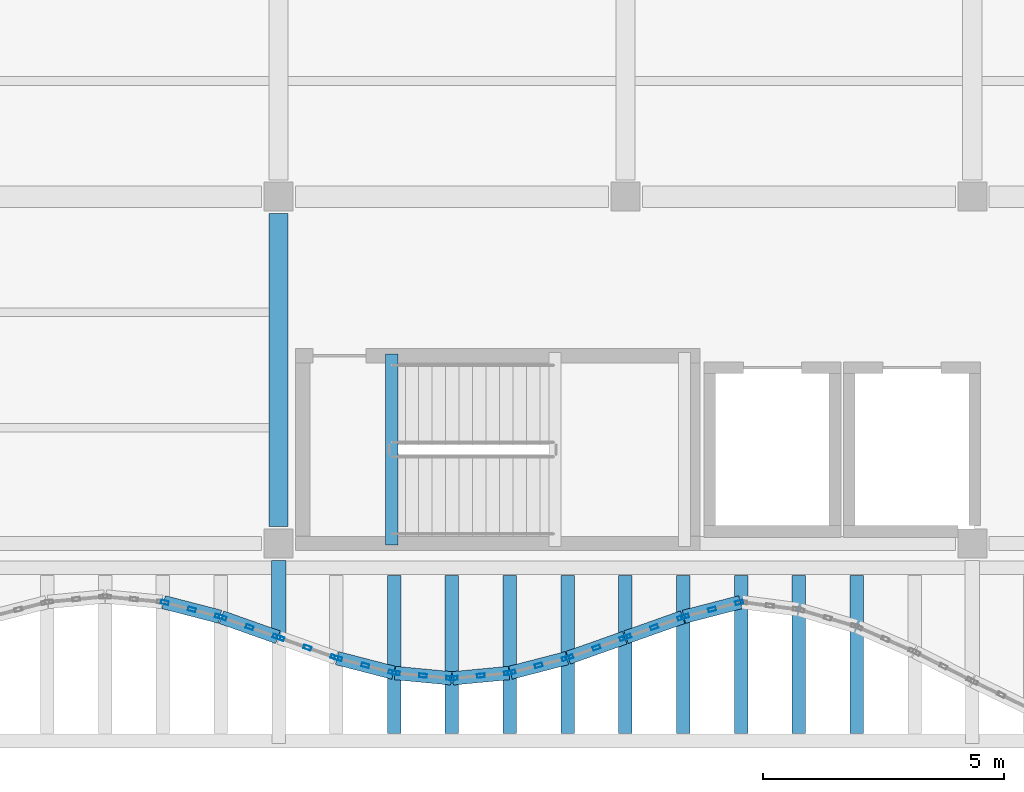
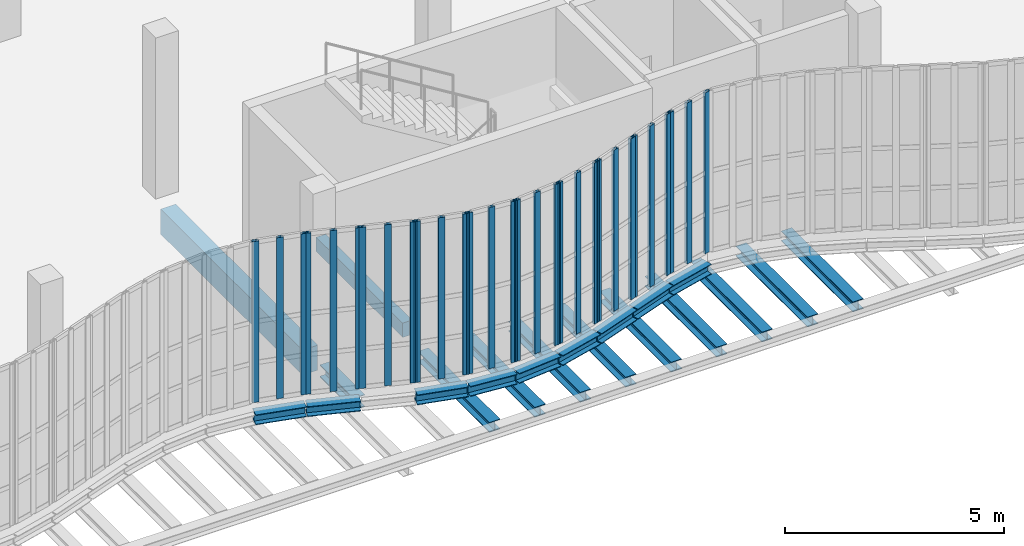
# One storey, part 12 of 105: 30 members, 21 beams, 10 elements without a shape of their own.
"""IFC4 building model written with IfcOpenShell, lengths in metres."""

from ifc_helpers import new_model, si_unit, direction, frame, origin, origin_2d, place, context, subcontext, project, spatial, rectangle, hollow_rectangle, i_section, extrude, material, layer, layer_set, material_profile, profile_set, type_object, element, aggregate, save


model = new_model("IFC4")

# Units and contexts
model_context = context("Model", 3, precision=1e-05, world=origin(), true_north=direction((0.0, 1.0)))
body_context = subcontext(model_context, "Body", "Model", "MODEL_VIEW")
ifc_project = project(units=[si_unit("LENGTHUNIT", "METRE"), si_unit("AREAUNIT", "SQUARE_METRE"), si_unit("VOLUMEUNIT", "CUBIC_METRE"), si_unit("PLANEANGLEUNIT", "RADIAN"), si_unit("MASSUNIT", "GRAM", prefix="KILO"), si_unit("THERMODYNAMICTEMPERATUREUNIT", "KELVIN"), si_unit("POWERUNIT", "WATT")], contexts=[model_context])

# Site, building, storey
site_placement = place(None, origin())
site = spatial("IfcSite", under=ifc_project, at=site_placement, CompositionType="ELEMENT")
building_placement = place(site_placement, origin())
building = spatial("IfcBuilding", under=site, at=building_placement, Name="Kaldorven Railside Theatre", CompositionType="ELEMENT")
storey_placement = place(building_placement, frame((0.0, 0.0, 9.89990234375)))
storey = spatial("IfcBuildingStorey", under=building, at=storey_placement, Name="L02", CompositionType="ELEMENT", Elevation=9.89990234375)

# Beams
ifc_material_1 = material(Name="Steel S355", Category="steel")
ifc_material_profile_1 = material_profile(ifc_material_1, i_section(OverallWidth=0.280029296875, OverallDepth=0.280029296875, WebThickness=0.010498046875, FlangeThickness=0.01806640625, at=origin_2d()), Name="HEB 280")
ifc_profile_set_1 = profile_set([ifc_material_profile_1], Name="Steel S355")
beam_type_1 = type_object("IfcBeamType", Name="BM-HEB280", PredefinedType="SPANDREL", material=ifc_profile_set_1)
beam_1_placement = place(storey_placement, frame((56.014404296875, 17.982421875, -0.419921875), z_axis=(0.967980555895, -0.25102518481, 0.0), x_axis=(0.25102518481, 0.967980555895, 0.0)))
element("IfcBeam", 1, at=beam_1_placement, inside=storey, type_object=beam_type_1, Name="L02 Sinusoidal Flute Edge Spandrel FSB-089", PredefinedType="SPANDREL", context=body_context, shape_type="SweptSolid", body=[
    extrude(i_section(OverallWidth=0.280029296875, OverallDepth=0.280029296875, WebThickness=0.010498046875, FlangeThickness=0.01806640625, at=origin_2d()), origin(), (0.0, 0.0, 1.0), 1.2099609375),
])
beam_2_placement = place(storey_placement, frame((57.214111328125, 17.669921875, -0.419921875), z_axis=(0.942627225161, -0.333847142245, 0.0), x_axis=(0.333847142245, 0.942627225161, 0.0)))
element("IfcBeam", 2, at=beam_2_placement, inside=storey, type_object=beam_type_1, Name="L02 Sinusoidal Flute Edge Spandrel FSB-090", PredefinedType="SPANDREL", context=body_context, shape_type="SweptSolid", body=[
    extrude(i_section(OverallWidth=0.280029296875, OverallDepth=0.280029296875, WebThickness=0.010498046875, FlangeThickness=0.01806640625, at=origin_2d()), origin(), (0.0, 0.0, 1.0), 1.2431640625),
])
beam_3_placement = place(storey_placement, frame((59.614501953125, 16.8212890625, -0.419921875), z_axis=(0.967967836725, -0.251074226206, 0.0), x_axis=(0.251074226206, 0.967967836725, 0.0)))
element("IfcBeam", 3, at=beam_3_placement, inside=storey, type_object=beam_type_1, Name="L02 Sinusoidal Flute Edge Spandrel FSB-092", PredefinedType="SPANDREL", context=body_context, shape_type="SweptSolid", body=[
    extrude(i_section(OverallWidth=0.280029296875, OverallDepth=0.280029296875, WebThickness=0.010498046875, FlangeThickness=0.01806640625, at=origin_2d()), origin(), (0.0, 0.0, 1.0), 1.209716796875),
])
beam_4_placement = place(storey_placement, frame((60.81494140625, 16.512451171875, -0.419921875), z_axis=(0.99552436473, -0.094505233873, 0.0), x_axis=(0.094505233873, 0.99552436473, 0.0)))
element("IfcBeam", 4, at=beam_4_placement, inside=storey, type_object=beam_type_1, Name="L02 Sinusoidal Flute Edge Spandrel FSB-093", PredefinedType="SPANDREL", context=body_context, shape_type="SweptSolid", body=[
    extrude(i_section(OverallWidth=0.280029296875, OverallDepth=0.280029296875, WebThickness=0.010498046875, FlangeThickness=0.01806640625, at=origin_2d()), origin(), (0.0, 0.0, 1.0), 1.175537109375),
])
beam_5_placement = place(storey_placement, frame((60.800048828125, 15.260009765625, -0.699951171875), z_axis=(0.0, 1.0, 0.0), x_axis=(-1.0, 0.0, 0.0)))
element("IfcBeam", 5, at=beam_5_placement, inside=storey, type_object=beam_type_1, Name="L02 Sinusoidal Diaphragm Rib Outrigger FOB-M093", PredefinedType="SPANDREL", context=body_context, shape_type="SweptSolid", body=[
    extrude(i_section(OverallWidth=0.280029296875, OverallDepth=0.280029296875, WebThickness=0.010498046875, FlangeThickness=0.01806640625, at=origin_2d()), origin(), (0.0, 0.0, 1.0), 3.280029296875),
])
beam_6_placement = place(storey_placement, frame((62.014892578125, 16.4013671875, -0.419921875), z_axis=(0.99552436473, 0.094505233873, 0.0), x_axis=(-0.094505233873, 0.99552436473, 0.0)))
element("IfcBeam", 6, at=beam_6_placement, inside=storey, type_object=beam_type_1, Name="L02 Sinusoidal Flute Edge Spandrel FSB-094", PredefinedType="SPANDREL", context=body_context, shape_type="SweptSolid", body=[
    extrude(i_section(OverallWidth=0.280029296875, OverallDepth=0.280029296875, WebThickness=0.010498046875, FlangeThickness=0.01806640625, at=origin_2d()), origin(), (0.0, 0.0, 1.0), 1.175537109375),
])
beam_7_placement = place(storey_placement, frame((62.0, 15.260009765625, -0.699951171875), z_axis=(0.0, 1.0, 0.0), x_axis=(-1.0, 0.0, 0.0)))
element("IfcBeam", 7, at=beam_7_placement, inside=storey, type_object=beam_type_1, Name="L02 Sinusoidal Diaphragm Rib Outrigger FOB-M094", PredefinedType="SPANDREL", context=body_context, shape_type="SweptSolid", body=[
    extrude(i_section(OverallWidth=0.280029296875, OverallDepth=0.280029296875, WebThickness=0.010498046875, FlangeThickness=0.01806640625, at=origin_2d()), origin(), (0.0, 0.0, 1.0), 3.280029296875),
])
beam_8_placement = place(storey_placement, frame((63.214599609375, 16.517578125, -0.419921875), z_axis=(0.967967836725, 0.251074226206, 0.0), x_axis=(-0.251074226206, 0.967967836725, 0.0)))
element("IfcBeam", 8, at=beam_8_placement, inside=storey, type_object=beam_type_1, Name="L02 Sinusoidal Flute Edge Spandrel FSB-095", PredefinedType="SPANDREL", context=body_context, shape_type="SweptSolid", body=[
    extrude(i_section(OverallWidth=0.280029296875, OverallDepth=0.280029296875, WebThickness=0.010498046875, FlangeThickness=0.01806640625, at=origin_2d()), origin(), (0.0, 0.0, 1.0), 1.209716796875),
])
beam_9_placement = place(storey_placement, frame((63.199951171875, 15.260009765625, -0.699951171875), z_axis=(0.0, 1.0, 0.0), x_axis=(-1.0, 0.0, 0.0)))
element("IfcBeam", 9, at=beam_9_placement, inside=storey, type_object=beam_type_1, Name="L02 Sinusoidal Diaphragm Rib Outrigger FOB-M095", PredefinedType="SPANDREL", context=body_context, shape_type="SweptSolid", body=[
    extrude(i_section(OverallWidth=0.280029296875, OverallDepth=0.280029296875, WebThickness=0.010498046875, FlangeThickness=0.01806640625, at=origin_2d()), origin(), (0.0, 0.0, 1.0), 3.280029296875),
])
beam_10_placement = place(storey_placement, frame((64.4140625, 16.830078125, -0.419921875), z_axis=(0.942627225161, 0.333847142245, 0.0), x_axis=(-0.333847142245, 0.942627225161, 0.0)))
element("IfcBeam", 10, at=beam_10_placement, inside=storey, type_object=beam_type_1, Name="L02 Sinusoidal Flute Edge Spandrel FSB-096", PredefinedType="SPANDREL", context=body_context, shape_type="SweptSolid", body=[
    extrude(i_section(OverallWidth=0.280029296875, OverallDepth=0.280029296875, WebThickness=0.010498046875, FlangeThickness=0.01806640625, at=origin_2d()), origin(), (0.0, 0.0, 1.0), 1.2431640625),
])
beam_11_placement = place(storey_placement, frame((64.39990234375, 15.260009765625, -0.699951171875), z_axis=(0.0, 1.0, 0.0), x_axis=(-1.0, 0.0, 0.0)))
element("IfcBeam", 11, at=beam_11_placement, inside=storey, type_object=beam_type_1, Name="L02 Sinusoidal Diaphragm Rib Outrigger FOB-M096", PredefinedType="SPANDREL", context=body_context, shape_type="SweptSolid", body=[
    extrude(i_section(OverallWidth=0.280029296875, OverallDepth=0.280029296875, WebThickness=0.010498046875, FlangeThickness=0.01806640625, at=origin_2d()), origin(), (0.0, 0.0, 1.0), 3.280029296875),
])
beam_12_placement = place(storey_placement, frame((65.614013671875, 17.2548828125, -0.419921875), z_axis=(0.942627225161, 0.333847142245, 0.0), x_axis=(-0.333847142245, 0.942627225161, 0.0)))
element("IfcBeam", 12, at=beam_12_placement, inside=storey, type_object=beam_type_1, Name="L02 Sinusoidal Flute Edge Spandrel FSB-097", PredefinedType="SPANDREL", context=body_context, shape_type="SweptSolid", body=[
    extrude(i_section(OverallWidth=0.280029296875, OverallDepth=0.280029296875, WebThickness=0.010498046875, FlangeThickness=0.01806640625, at=origin_2d()), origin(), (0.0, 0.0, 1.0), 1.2431640625),
])
beam_13_placement = place(storey_placement, frame((65.60009765625, 15.260009765625, -0.699951171875), z_axis=(0.0, 1.0, 0.0), x_axis=(-1.0, 0.0, 0.0)))
element("IfcBeam", 13, at=beam_13_placement, inside=storey, type_object=beam_type_1, Name="L02 Sinusoidal Diaphragm Rib Outrigger FOB-M097", PredefinedType="SPANDREL", context=body_context, shape_type="SweptSolid", body=[
    extrude(i_section(OverallWidth=0.280029296875, OverallDepth=0.280029296875, WebThickness=0.010498046875, FlangeThickness=0.01806640625, at=origin_2d()), origin(), (0.0, 0.0, 1.0), 3.280029296875),
])
beam_14_placement = place(storey_placement, frame((66.814453125, 17.6787109375, -0.419921875), z_axis=(0.967980555895, 0.25102518481, 0.0), x_axis=(-0.25102518481, 0.967980555895, 0.0)))
element("IfcBeam", 14, at=beam_14_placement, inside=storey, type_object=beam_type_1, Name="L02 Sinusoidal Flute Edge Spandrel FSB-098", PredefinedType="SPANDREL", context=body_context, shape_type="SweptSolid", body=[
    extrude(i_section(OverallWidth=0.280029296875, OverallDepth=0.280029296875, WebThickness=0.010498046875, FlangeThickness=0.01806640625, at=origin_2d()), origin(), (0.0, 0.0, 1.0), 1.2099609375),
])
for number, where, z_axis, x_axis, name in (
    (15, (66.800048828125, 15.260009765625, -0.699951171875), (0.0, 1.0, 0.0), (-1.0, 0.0, 0.0), "L02 Sinusoidal Diaphragm Rib Outrigger FOB-M098"),
    (16, (68.0, 15.260009765625, -0.699951171875), (0.0, 1.0, 0.0), (-1.0, 0.0, 0.0), "L02 Sinusoidal Diaphragm Rib Outrigger FOB-M099"),
    (17, (69.199951171875, 15.260009765625, -0.699951171875), (0.0, 1.0, 0.0), (-1.0, 0.0, 0.0), "L02 Sinusoidal Diaphragm Rib Outrigger FOB-M100"),
    (18, (70.39990234375, 15.260009765625, -0.699951171875), (0.0, 1.0, 0.0), (-1.0, 0.0, 0.0), "L02 Sinusoidal Diaphragm Rib Outrigger FOB-M101"),
):
    element("IfcBeam", number, at=place(storey_placement, frame(where, z_axis=z_axis, x_axis=x_axis)), inside=storey, type_object=beam_type_1, Name=name, PredefinedType="SPANDREL", context=body_context, shape_type="SweptSolid", body=[
        extrude(i_section(OverallWidth=0.280029296875, OverallDepth=0.280029296875, WebThickness=0.010498046875, FlangeThickness=0.01806640625, at=origin_2d()), origin(), (0.0, 0.0, 1.0), 3.280029296875),
    ])
ifc_material_profile_2 = material_profile(ifc_material_1, i_section(OverallWidth=0.300048828125, OverallDepth=0.340087890625, WebThickness=0.011962890625, FlangeThickness=0.021484375, at=origin_2d()), Name="HEB 340")
ifc_profile_set_2 = profile_set([ifc_material_profile_2], Name="Steel S355")
beam_type_2 = type_object("IfcBeamType", Name="BM-HEB340", PredefinedType="SPANDREL", material=ifc_profile_set_2)
beam_15_placement = place(storey_placement, frame((58.39990234375, 17.31005859375, -0.449951171875), z_axis=(0.0, 1.0, 0.0), x_axis=(-1.0, 0.0, 0.0)))
element("IfcBeam", 19, at=beam_15_placement, inside=storey, type_object=beam_type_2, Name="L02 Sinusoidal Veil Outrigger FOB-2058", PredefinedType="SPANDREL", context=body_context, shape_type="SweptSolid", body=[
    extrude(i_section(OverallWidth=0.300048828125, OverallDepth=0.340087890625, WebThickness=0.011962890625, FlangeThickness=0.021484375, at=origin_2d()), origin(), (0.0, 0.0, 1.0), 1.5400390625),
])
ifc_material_2 = material(Name="Concrete C40/50", Category="concrete")
ifc_material_profile_3 = material_profile(ifc_material_2, rectangle(XDim=0.25, YDim=0.39990234375, at=origin_2d()), Name="RC 250x400")
ifc_profile_set_3 = profile_set([ifc_material_profile_3], Name="Concrete C40/50")
beam_type_3 = type_object("IfcBeamType", Name="BM-RC250x400", PredefinedType="LINTEL", material=ifc_profile_set_3)
beam_16_placement = place(storey_placement, frame((60.75, 19.169921875, -0.344970703125), z_axis=(0.0, 1.0, 0.0), x_axis=(-1.0, 0.0, 0.0)))
element("IfcBeam", 20, at=beam_16_placement, inside=storey, type_object=beam_type_3, Name="Stair ST-03 L02 Landing Trimmer Beam", PredefinedType="LINTEL", context=body_context, shape_type="SweptSolid", body=[
    extrude(rectangle(XDim=0.25, YDim=0.39990234375, at=origin_2d()), origin(), (0.0, 0.0, 1.0), 3.9599609375),
])
ifc_material_profile_4 = material_profile(ifc_material_2, rectangle(XDim=0.39990234375, YDim=0.699951171875, at=origin_2d()), Name="RC 400x700")
ifc_profile_set_4 = profile_set([ifc_material_profile_4], Name="Concrete C40/50")
beam_type_4 = type_object("IfcBeamType", Name="BM-RC400x700", PredefinedType="BEAM", material=ifc_profile_set_4)
beam_17_placement = place(storey_placement, frame((58.39990234375, 19.550048828125, -0.6298828125), z_axis=(0.0, 1.0, 0.0), x_axis=(-1.0, 0.0, 0.0)))
element("IfcBeam", 21, at=beam_17_placement, inside=storey, type_object=beam_type_4, Name="L02 Girder BGY-L02-058-019-72", PredefinedType="BEAM", context=body_context, shape_type="SweptSolid", body=[
    extrude(rectangle(XDim=0.39990234375, YDim=0.699951171875, at=origin_2d()), origin(), (0.0, 0.0, 1.0), 6.5),
])

# Curtain wall, members
ifc_material_3 = material(Name="Low-E laminated solar-control glass", Category="glass")
ifc_layer_1 = layer(ifc_material_3, 0.159912109375, Name="Low-E laminated solar-control glass")
ifc_layer_set_1 = layer_set([ifc_layer_1], Name="Low-E laminated solar-control glass")
curtain_wall_type_1 = type_object("IfcCurtainWallType", Name="CWT-02", PredefinedType="USERDEFINED", material=ifc_layer_set_1)
curtain_wall_1_placement = place(storey_placement, origin())
curtain_wall_1 = element("IfcCurtainWall", 22, at=curtain_wall_1_placement, inside=storey, type_object=curtain_wall_type_1, Name="Sinusoidal Fluted Curtain Wall CW-L02-S17", ObjectType="FLUTED GLAZING", PredefinedType="USERDEFINED")
ifc_material_4 = material(Name="Anodised bronze aluminium", Category="aluminium")
ifc_material_profile_5 = material_profile(ifc_material_4, hollow_rectangle(XDim=0.080078125, YDim=0.159912109375, WallThickness=0.00634765625, at=origin_2d()), Name="RHS 160x80x6.3")
ifc_profile_set_5 = profile_set([ifc_material_profile_5], Name="Anodised bronze aluminium")
member_type = type_object("IfcMemberType", Name="CWM-160", PredefinedType="MULLION", material=ifc_profile_set_5)
member_1_placement = place(storey_placement, frame((56.038818359375, 17.97607421875, 0.0), z_axis=(0.0, 0.0, 1.0), x_axis=(0.250953760326, 0.967999075505, 0.0)))
member_1 = element("IfcMember", 23, at=member_1_placement, type_object=member_type, Name="CW-L02-S17 mullion 1", PredefinedType="MULLION", context=body_context, shape_type="SweptSolid", body=[
    extrude(hollow_rectangle(XDim=0.080078125, YDim=0.159912109375, WallThickness=0.00634765625, at=origin_2d()), origin(), (0.0, 0.0, 1.0), 4.5),
])
member_2_placement = place(storey_placement, frame((56.60009765625, 17.83056640625, 0.0), z_axis=(0.0, 0.0, 1.0), x_axis=(0.250953760326, 0.967999075505, 0.0)))
member_2 = element("IfcMember", 24, at=member_2_placement, type_object=member_type, Name="CW-L02-S17 mullion 2", PredefinedType="MULLION", context=body_context, shape_type="SweptSolid", body=[
    extrude(hollow_rectangle(XDim=0.080078125, YDim=0.159912109375, WallThickness=0.00634765625, at=origin_2d()), origin(), (0.0, 0.0, 1.0), 4.5),
])
member_3_placement = place(storey_placement, frame((57.161376953125, 17.68505859375, 0.0), z_axis=(0.0, 0.0, 1.0), x_axis=(0.250953760326, 0.967999075505, 0.0)))
member_3 = element("IfcMember", 25, at=member_3_placement, type_object=member_type, Name="CW-L02-S17 mullion 3", PredefinedType="MULLION", context=body_context, shape_type="SweptSolid", body=[
    extrude(hollow_rectangle(XDim=0.080078125, YDim=0.159912109375, WallThickness=0.00634765625, at=origin_2d()), origin(), (0.0, 0.0, 1.0), 4.5),
])
aggregate(curtain_wall_1, [member_1, member_2, member_3])

ifc_layer_2 = layer(ifc_material_3, 0.159912109375, Name="Low-E laminated solar-control glass")
ifc_layer_set_2 = layer_set([ifc_layer_2], Name="Low-E laminated solar-control glass")
curtain_wall_type_2 = type_object("IfcCurtainWallType", Name="CWT-01", PredefinedType="USERDEFINED", material=ifc_layer_set_2)
curtain_wall_2_placement = place(storey_placement, origin())
curtain_wall_2 = element("IfcCurtainWall", 26, at=curtain_wall_2_placement, inside=storey, type_object=curtain_wall_type_2, Name="Sinusoidal Fluted Curtain Wall CW-L02-S18", ObjectType="FLUTED GLAZING", PredefinedType="USERDEFINED")
member_4_placement = place(storey_placement, frame((57.23779296875, 17.66162109375, 0.0), z_axis=(0.0, 0.0, 1.0), x_axis=(0.33384714225, 0.942627225159, 0.0)))
member_4 = element("IfcMember", 27, at=member_4_placement, type_object=member_type, Name="CW-L02-S18 mullion 1", PredefinedType="MULLION", context=body_context, shape_type="SweptSolid", body=[
    extrude(hollow_rectangle(XDim=0.080078125, YDim=0.159912109375, WallThickness=0.00634765625, at=origin_2d()), origin(), (0.0, 0.0, 1.0), 4.5),
])
member_5_placement = place(storey_placement, frame((57.800048828125, 17.46240234375, 0.0), z_axis=(0.0, 0.0, 1.0), x_axis=(0.33384714225, 0.942627225159, 0.0)))
member_5 = element("IfcMember", 28, at=member_5_placement, type_object=member_type, Name="CW-L02-S18 mullion 2", PredefinedType="MULLION", context=body_context, shape_type="SweptSolid", body=[
    extrude(hollow_rectangle(XDim=0.080078125, YDim=0.159912109375, WallThickness=0.00634765625, at=origin_2d()), origin(), (0.0, 0.0, 1.0), 4.5),
])
member_6_placement = place(storey_placement, frame((58.3623046875, 17.263427734375, 0.0), z_axis=(0.0, 0.0, 1.0), x_axis=(0.33384714225, 0.942627225159, 0.0)))
member_6 = element("IfcMember", 29, at=member_6_placement, type_object=member_type, Name="CW-L02-S18 mullion 3", PredefinedType="MULLION", context=body_context, shape_type="SweptSolid", body=[
    extrude(hollow_rectangle(XDim=0.080078125, YDim=0.159912109375, WallThickness=0.00634765625, at=origin_2d()), origin(), (0.0, 0.0, 1.0), 4.5),
])
aggregate(curtain_wall_2, [member_4, member_5, member_6])

curtain_wall_3_placement = place(storey_placement, origin())
curtain_wall_3 = element("IfcCurtainWall", 30, at=curtain_wall_3_placement, inside=storey, type_object=curtain_wall_type_2, Name="Sinusoidal Fluted Curtain Wall CW-L02-S19", ObjectType="FLUTED GLAZING", PredefinedType="USERDEFINED")
member_7_placement = place(storey_placement, frame((58.437744140625, 17.236572265625, 0.0), z_axis=(0.0, 0.0, 1.0), x_axis=(0.33384714225, 0.942627225159, 0.0)))
member_7 = element("IfcMember", 31, at=member_7_placement, type_object=member_type, Name="CW-L02-S19 mullion 1", PredefinedType="MULLION", context=body_context, shape_type="SweptSolid", body=[
    extrude(hollow_rectangle(XDim=0.080078125, YDim=0.159912109375, WallThickness=0.00634765625, at=origin_2d()), origin(), (0.0, 0.0, 1.0), 4.5),
])
member_8_placement = place(storey_placement, frame((59.0, 17.03759765625, 0.0), z_axis=(0.0, 0.0, 1.0), x_axis=(0.33384714225, 0.942627225159, 0.0)))
member_8 = element("IfcMember", 32, at=member_8_placement, type_object=member_type, Name="CW-L02-S19 mullion 2", PredefinedType="MULLION", context=body_context, shape_type="SweptSolid", body=[
    extrude(hollow_rectangle(XDim=0.080078125, YDim=0.159912109375, WallThickness=0.00634765625, at=origin_2d()), origin(), (0.0, 0.0, 1.0), 4.5),
])
member_9_placement = place(storey_placement, frame((59.562255859375, 16.83837890625, 0.0), z_axis=(0.0, 0.0, 1.0), x_axis=(0.33384714225, 0.942627225159, 0.0)))
member_9 = element("IfcMember", 33, at=member_9_placement, type_object=member_type, Name="CW-L02-S19 mullion 3", PredefinedType="MULLION", context=body_context, shape_type="SweptSolid", body=[
    extrude(hollow_rectangle(XDim=0.080078125, YDim=0.159912109375, WallThickness=0.00634765625, at=origin_2d()), origin(), (0.0, 0.0, 1.0), 4.5),
])
aggregate(curtain_wall_3, [member_7, member_8, member_9])

curtain_wall_4_placement = place(storey_placement, origin())
curtain_wall_4 = element("IfcCurtainWall", 34, at=curtain_wall_4_placement, inside=storey, type_object=curtain_wall_type_1, Name="Sinusoidal Fluted Curtain Wall CW-L02-S20", ObjectType="FLUTED GLAZING", PredefinedType="USERDEFINED")
member_10_placement = place(storey_placement, frame((59.638671875, 16.81494140625, 0.0), z_axis=(0.0, 0.0, 1.0), x_axis=(0.250953760326, 0.967999075505, 0.0)))
member_10 = element("IfcMember", 35, at=member_10_placement, type_object=member_type, Name="CW-L02-S20 mullion 1", PredefinedType="MULLION", context=body_context, shape_type="SweptSolid", body=[
    extrude(hollow_rectangle(XDim=0.080078125, YDim=0.159912109375, WallThickness=0.00634765625, at=origin_2d()), origin(), (0.0, 0.0, 1.0), 4.5),
])
member_11_placement = place(storey_placement, frame((60.199951171875, 16.66943359375, 0.0), z_axis=(0.0, 0.0, 1.0), x_axis=(0.250953760326, 0.967999075505, 0.0)))
member_11 = element("IfcMember", 36, at=member_11_placement, type_object=member_type, Name="CW-L02-S20 mullion 2", PredefinedType="MULLION", context=body_context, shape_type="SweptSolid", body=[
    extrude(hollow_rectangle(XDim=0.080078125, YDim=0.159912109375, WallThickness=0.00634765625, at=origin_2d()), origin(), (0.0, 0.0, 1.0), 4.5),
])
member_12_placement = place(storey_placement, frame((60.76123046875, 16.52392578125, 0.0), z_axis=(0.0, 0.0, 1.0), x_axis=(0.250953760326, 0.967999075505, 0.0)))
member_12 = element("IfcMember", 37, at=member_12_placement, type_object=member_type, Name="CW-L02-S20 mullion 3", PredefinedType="MULLION", context=body_context, shape_type="SweptSolid", body=[
    extrude(hollow_rectangle(XDim=0.080078125, YDim=0.159912109375, WallThickness=0.00634765625, at=origin_2d()), origin(), (0.0, 0.0, 1.0), 4.5),
])
aggregate(curtain_wall_4, [member_10, member_11, member_12])

ifc_layer_3 = layer(ifc_material_3, 0.159912109375, Name="Low-E laminated solar-control glass")
ifc_layer_set_3 = layer_set([ifc_layer_3], Name="Low-E laminated solar-control glass")
curtain_wall_type_3 = type_object("IfcCurtainWallType", Name="CWT-03", PredefinedType="USERDEFINED", material=ifc_layer_set_3)
curtain_wall_5_placement = place(storey_placement, origin())
curtain_wall_5 = element("IfcCurtainWall", 38, at=curtain_wall_5_placement, inside=storey, type_object=curtain_wall_type_3, Name="Sinusoidal Fluted Curtain Wall CW-L02-S21", ObjectType="FLUTED GLAZING", PredefinedType="USERDEFINED")
member_13_placement = place(storey_placement, frame((60.83984375, 16.510009765625, 0.0), z_axis=(0.0, 0.0, 1.0), x_axis=(0.094491973758, 0.995525623425, 0.0)))
member_13 = element("IfcMember", 39, at=member_13_placement, type_object=member_type, Name="CW-L02-S21 mullion 1", PredefinedType="MULLION", context=body_context, shape_type="SweptSolid", body=[
    extrude(hollow_rectangle(XDim=0.080078125, YDim=0.159912109375, WallThickness=0.00634765625, at=origin_2d()), origin(), (0.0, 0.0, 1.0), 4.5),
])
member_14_placement = place(storey_placement, frame((61.39990234375, 16.45703125, 0.0), z_axis=(0.0, 0.0, 1.0), x_axis=(0.094491973758, 0.995525623425, 0.0)))
member_14 = element("IfcMember", 40, at=member_14_placement, type_object=member_type, Name="CW-L02-S21 mullion 2", PredefinedType="MULLION", context=body_context, shape_type="SweptSolid", body=[
    extrude(hollow_rectangle(XDim=0.080078125, YDim=0.159912109375, WallThickness=0.00634765625, at=origin_2d()), origin(), (0.0, 0.0, 1.0), 4.5),
])
member_15_placement = place(storey_placement, frame((61.960205078125, 16.40380859375, 0.0), z_axis=(0.0, 0.0, 1.0), x_axis=(0.094491973758, 0.995525623425, 0.0)))
member_15 = element("IfcMember", 41, at=member_15_placement, type_object=member_type, Name="CW-L02-S21 mullion 3", PredefinedType="MULLION", context=body_context, shape_type="SweptSolid", body=[
    extrude(hollow_rectangle(XDim=0.080078125, YDim=0.159912109375, WallThickness=0.00634765625, at=origin_2d()), origin(), (0.0, 0.0, 1.0), 4.5),
])
aggregate(curtain_wall_5, [member_13, member_14, member_15])

curtain_wall_6_placement = place(storey_placement, origin())
curtain_wall_6 = element("IfcCurtainWall", 42, at=curtain_wall_6_placement, inside=storey, type_object=curtain_wall_type_3, Name="Sinusoidal Fluted Curtain Wall CW-L02-S22", ObjectType="FLUTED GLAZING", PredefinedType="USERDEFINED")
member_16_placement = place(storey_placement, frame((62.039794921875, 16.40380859375, 0.0), z_axis=(0.0, 0.0, 1.0), x_axis=(-0.094491973758, 0.995525623425, 0.0)))
member_16 = element("IfcMember", 43, at=member_16_placement, type_object=member_type, Name="CW-L02-S22 mullion 1", PredefinedType="MULLION", context=body_context, shape_type="SweptSolid", body=[
    extrude(hollow_rectangle(XDim=0.080078125, YDim=0.159912109375, WallThickness=0.00634765625, at=origin_2d()), origin(), (0.0, 0.0, 1.0), 4.5),
])
member_17_placement = place(storey_placement, frame((62.60009765625, 16.45703125, 0.0), z_axis=(0.0, 0.0, 1.0), x_axis=(-0.094491973758, 0.995525623425, 0.0)))
member_17 = element("IfcMember", 44, at=member_17_placement, type_object=member_type, Name="CW-L02-S22 mullion 2", PredefinedType="MULLION", context=body_context, shape_type="SweptSolid", body=[
    extrude(hollow_rectangle(XDim=0.080078125, YDim=0.159912109375, WallThickness=0.00634765625, at=origin_2d()), origin(), (0.0, 0.0, 1.0), 4.5),
])
member_18_placement = place(storey_placement, frame((63.16015625, 16.510009765625, 0.0), z_axis=(0.0, 0.0, 1.0), x_axis=(-0.094491973758, 0.995525623425, 0.0)))
member_18 = element("IfcMember", 45, at=member_18_placement, type_object=member_type, Name="CW-L02-S22 mullion 3", PredefinedType="MULLION", context=body_context, shape_type="SweptSolid", body=[
    extrude(hollow_rectangle(XDim=0.080078125, YDim=0.159912109375, WallThickness=0.00634765625, at=origin_2d()), origin(), (0.0, 0.0, 1.0), 4.5),
])
aggregate(curtain_wall_6, [member_16, member_17, member_18])

curtain_wall_7_placement = place(storey_placement, origin())
curtain_wall_7 = element("IfcCurtainWall", 46, at=curtain_wall_7_placement, inside=storey, type_object=curtain_wall_type_1, Name="Sinusoidal Fluted Curtain Wall CW-L02-S23", ObjectType="FLUTED GLAZING", PredefinedType="USERDEFINED")
member_19_placement = place(storey_placement, frame((63.23876953125, 16.52392578125, 0.0), z_axis=(0.0, 0.0, 1.0), x_axis=(-0.250953760326, 0.967999075505, 0.0)))
member_19 = element("IfcMember", 47, at=member_19_placement, type_object=member_type, Name="CW-L02-S23 mullion 1", PredefinedType="MULLION", context=body_context, shape_type="SweptSolid", body=[
    extrude(hollow_rectangle(XDim=0.080078125, YDim=0.159912109375, WallThickness=0.00634765625, at=origin_2d()), origin(), (0.0, 0.0, 1.0), 4.5),
])
member_20_placement = place(storey_placement, frame((63.800048828125, 16.66943359375, 0.0), z_axis=(0.0, 0.0, 1.0), x_axis=(-0.250953760326, 0.967999075505, 0.0)))
member_20 = element("IfcMember", 48, at=member_20_placement, type_object=member_type, Name="CW-L02-S23 mullion 2", PredefinedType="MULLION", context=body_context, shape_type="SweptSolid", body=[
    extrude(hollow_rectangle(XDim=0.080078125, YDim=0.159912109375, WallThickness=0.00634765625, at=origin_2d()), origin(), (0.0, 0.0, 1.0), 4.5),
])
member_21_placement = place(storey_placement, frame((64.361328125, 16.81494140625, 0.0), z_axis=(0.0, 0.0, 1.0), x_axis=(-0.250953760326, 0.967999075505, 0.0)))
member_21 = element("IfcMember", 49, at=member_21_placement, type_object=member_type, Name="CW-L02-S23 mullion 3", PredefinedType="MULLION", context=body_context, shape_type="SweptSolid", body=[
    extrude(hollow_rectangle(XDim=0.080078125, YDim=0.159912109375, WallThickness=0.00634765625, at=origin_2d()), origin(), (0.0, 0.0, 1.0), 4.5),
])
aggregate(curtain_wall_7, [member_19, member_20, member_21])

curtain_wall_8_placement = place(storey_placement, origin())
curtain_wall_8 = element("IfcCurtainWall", 50, at=curtain_wall_8_placement, inside=storey, type_object=curtain_wall_type_2, Name="Sinusoidal Fluted Curtain Wall CW-L02-S24", ObjectType="FLUTED GLAZING", PredefinedType="USERDEFINED")
member_22_placement = place(storey_placement, frame((64.437744140625, 16.83837890625, 0.0), z_axis=(0.0, 0.0, 1.0), x_axis=(-0.33384714225, 0.942627225159, 0.0)))
member_22 = element("IfcMember", 51, at=member_22_placement, type_object=member_type, Name="CW-L02-S24 mullion 1", PredefinedType="MULLION", context=body_context, shape_type="SweptSolid", body=[
    extrude(hollow_rectangle(XDim=0.080078125, YDim=0.159912109375, WallThickness=0.00634765625, at=origin_2d()), origin(), (0.0, 0.0, 1.0), 4.5),
])
member_23_placement = place(storey_placement, frame((65.0, 17.03759765625, 0.0), z_axis=(0.0, 0.0, 1.0), x_axis=(-0.33384714225, 0.942627225159, 0.0)))
member_23 = element("IfcMember", 52, at=member_23_placement, type_object=member_type, Name="CW-L02-S24 mullion 2", PredefinedType="MULLION", context=body_context, shape_type="SweptSolid", body=[
    extrude(hollow_rectangle(XDim=0.080078125, YDim=0.159912109375, WallThickness=0.00634765625, at=origin_2d()), origin(), (0.0, 0.0, 1.0), 4.5),
])
member_24_placement = place(storey_placement, frame((65.562255859375, 17.236572265625, 0.0), z_axis=(0.0, 0.0, 1.0), x_axis=(-0.33384714225, 0.942627225159, 0.0)))
member_24 = element("IfcMember", 53, at=member_24_placement, type_object=member_type, Name="CW-L02-S24 mullion 3", PredefinedType="MULLION", context=body_context, shape_type="SweptSolid", body=[
    extrude(hollow_rectangle(XDim=0.080078125, YDim=0.159912109375, WallThickness=0.00634765625, at=origin_2d()), origin(), (0.0, 0.0, 1.0), 4.5),
])
aggregate(curtain_wall_8, [member_22, member_23, member_24])

curtain_wall_9_placement = place(storey_placement, origin())
curtain_wall_9 = element("IfcCurtainWall", 54, at=curtain_wall_9_placement, inside=storey, type_object=curtain_wall_type_2, Name="Sinusoidal Fluted Curtain Wall CW-L02-S25", ObjectType="FLUTED GLAZING", PredefinedType="USERDEFINED")
member_25_placement = place(storey_placement, frame((65.6376953125, 17.263427734375, 0.0), z_axis=(0.0, 0.0, 1.0), x_axis=(-0.33384714225, 0.942627225159, 0.0)))
member_25 = element("IfcMember", 55, at=member_25_placement, type_object=member_type, Name="CW-L02-S25 mullion 1", PredefinedType="MULLION", context=body_context, shape_type="SweptSolid", body=[
    extrude(hollow_rectangle(XDim=0.080078125, YDim=0.159912109375, WallThickness=0.00634765625, at=origin_2d()), origin(), (0.0, 0.0, 1.0), 4.5),
])
member_26_placement = place(storey_placement, frame((66.199951171875, 17.46240234375, 0.0), z_axis=(0.0, 0.0, 1.0), x_axis=(-0.33384714225, 0.942627225159, 0.0)))
member_26 = element("IfcMember", 56, at=member_26_placement, type_object=member_type, Name="CW-L02-S25 mullion 2", PredefinedType="MULLION", context=body_context, shape_type="SweptSolid", body=[
    extrude(hollow_rectangle(XDim=0.080078125, YDim=0.159912109375, WallThickness=0.00634765625, at=origin_2d()), origin(), (0.0, 0.0, 1.0), 4.5),
])
member_27_placement = place(storey_placement, frame((66.76220703125, 17.66162109375, 0.0), z_axis=(0.0, 0.0, 1.0), x_axis=(-0.33384714225, 0.942627225159, 0.0)))
member_27 = element("IfcMember", 57, at=member_27_placement, type_object=member_type, Name="CW-L02-S25 mullion 3", PredefinedType="MULLION", context=body_context, shape_type="SweptSolid", body=[
    extrude(hollow_rectangle(XDim=0.080078125, YDim=0.159912109375, WallThickness=0.00634765625, at=origin_2d()), origin(), (0.0, 0.0, 1.0), 4.5),
])
aggregate(curtain_wall_9, [member_25, member_26, member_27])

curtain_wall_10_placement = place(storey_placement, origin())
curtain_wall_10 = element("IfcCurtainWall", 58, at=curtain_wall_10_placement, inside=storey, type_object=curtain_wall_type_1, Name="Sinusoidal Fluted Curtain Wall CW-L02-S26", ObjectType="FLUTED GLAZING", PredefinedType="USERDEFINED")
member_28_placement = place(storey_placement, frame((66.838623046875, 17.68505859375, 0.0), z_axis=(0.0, 0.0, 1.0), x_axis=(-0.250953760326, 0.967999075505, 0.0)))
member_28 = element("IfcMember", 59, at=member_28_placement, type_object=member_type, Name="CW-L02-S26 mullion 1", PredefinedType="MULLION", context=body_context, shape_type="SweptSolid", body=[
    extrude(hollow_rectangle(XDim=0.080078125, YDim=0.159912109375, WallThickness=0.00634765625, at=origin_2d()), origin(), (0.0, 0.0, 1.0), 4.5),
])
member_29_placement = place(storey_placement, frame((67.39990234375, 17.83056640625, 0.0), z_axis=(0.0, 0.0, 1.0), x_axis=(-0.250953760326, 0.967999075505, 0.0)))
member_29 = element("IfcMember", 60, at=member_29_placement, type_object=member_type, Name="CW-L02-S26 mullion 2", PredefinedType="MULLION", context=body_context, shape_type="SweptSolid", body=[
    extrude(hollow_rectangle(XDim=0.080078125, YDim=0.159912109375, WallThickness=0.00634765625, at=origin_2d()), origin(), (0.0, 0.0, 1.0), 4.5),
])
member_30_placement = place(storey_placement, frame((67.961181640625, 17.97607421875, 0.0), z_axis=(0.0, 0.0, 1.0), x_axis=(-0.250953760326, 0.967999075505, 0.0)))
member_30 = element("IfcMember", 61, at=member_30_placement, type_object=member_type, Name="CW-L02-S26 mullion 3", PredefinedType="MULLION", context=body_context, shape_type="SweptSolid", body=[
    extrude(hollow_rectangle(XDim=0.080078125, YDim=0.159912109375, WallThickness=0.00634765625, at=origin_2d()), origin(), (0.0, 0.0, 1.0), 4.5),
])
aggregate(curtain_wall_10, [member_28, member_29, member_30])

save(model, "model.ifc")
